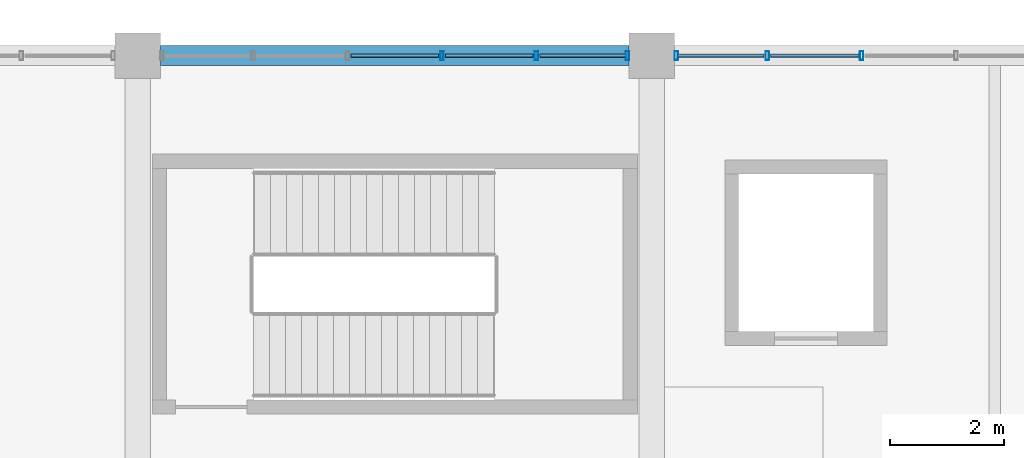
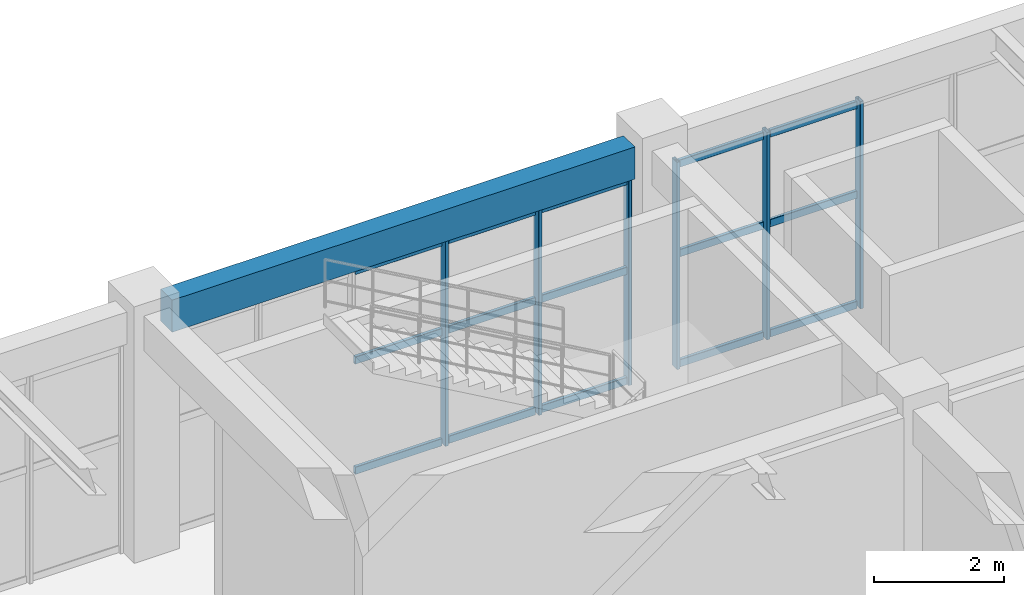
# One storey, part 88 of 178: 21 members, 1 beam, 2 elements without a shape of their own.
"""IFC4 building model written with IfcOpenShell, lengths in metres."""

from ifc_helpers import new_model, si_unit, derived_unit, direction, frame, origin, origin_2d, place, context, subcontext, project, spatial, rectangle, hollow_rectangle, extrude, material, material_profile, profile_set, type_object, element, aggregate, save


model = new_model("IFC4")

# Units and contexts
model_context = context("Model", 3, precision=1e-05, world=origin(), true_north=direction((0.0, 1.0)))
body_context = subcontext(model_context, "Body", "Model", "MODEL_VIEW")
ifc_project = project(units=[si_unit("LENGTHUNIT", "METRE"), si_unit("AREAUNIT", "SQUARE_METRE"), si_unit("VOLUMEUNIT", "CUBIC_METRE"), si_unit("PLANEANGLEUNIT", "RADIAN"), si_unit("MASSUNIT", "GRAM", prefix="KILO"), derived_unit("THERMALTRANSMITTANCEUNIT", [(si_unit("MASSUNIT", "GRAM", prefix="KILO"), 1), (si_unit("TIMEUNIT", "SECOND"), -3), (si_unit("THERMODYNAMICTEMPERATUREUNIT", "KELVIN"), -1)])], contexts=[model_context])

# Site, building, storey
site_placement = place(None, origin())
site = spatial("IfcSite", under=ifc_project, at=site_placement, CompositionType="ELEMENT")
building_placement = place(site_placement, origin())
building = spatial("IfcBuilding", under=site, at=building_placement, Name="Zhenchuan Archway Interchange", CompositionType="ELEMENT")
storey_placement = place(building_placement, frame((0.0, 0.0, 5.39990234375)))
storey = spatial("IfcBuildingStorey", under=building, at=storey_placement, Name="L01", CompositionType="ELEMENT", Elevation=5.39990234375)

# Curtain wall, members
ifc_material_1 = material(Name="Anodised Aluminium", Category="aluminium")
curtain_wall_type_1 = type_object("IfcCurtainWallType", Name="CW_UNIT_3", PredefinedType="NOTDEFINED", material=ifc_material_1)
curtain_wall_1_placement = place(storey_placement, origin())
curtain_wall_1 = element("IfcCurtainWall", 1, at=curtain_wall_1_placement, inside=storey, type_object=curtain_wall_type_1, Name="Unitised curtain wall CW:L01:046", PredefinedType="NOTDEFINED")
ifc_material_profile_1 = material_profile(ifc_material_1, hollow_rectangle(XDim=0.06005859375, YDim=0.159912109375, WallThickness=0.00390625, InnerFilletRadius=0.00390625, OuterFilletRadius=0.008056640625, at=origin_2d()), Name="ALU 160x60x4")
ifc_profile_set_1 = profile_set([ifc_material_profile_1], Name="Anodised Aluminium")
member_type_1 = type_object("IfcMemberType", Name="CW_MUL_150", PredefinedType="MULLION", material=ifc_profile_set_1)
member_1_placement = place(storey_placement, frame((14.326416015625, 112.0, 0.0), z_axis=(0.0, 0.0, 1.0), x_axis=(1.0, 0.0, 0.0)))
member_1 = element("IfcMember", 2, at=member_1_placement, type_object=member_type_1, Name="CW:L01:046 mullion 3", PredefinedType="MULLION", context=body_context, shape_type="SweptSolid", body=[
    extrude(hollow_rectangle(XDim=0.06005859375, YDim=0.159912109375, WallThickness=0.00390625, InnerFilletRadius=0.00390625, OuterFilletRadius=0.008056640625, at=origin_2d()), origin(), (0.0, 0.0, 1.0), 3.880126953125),
])
member_2_placement = place(storey_placement, frame((15.979248046875, 112.0, 0.0), z_axis=(0.0, 0.0, 1.0), x_axis=(1.0, 0.0, 0.0)))
member_2 = element("IfcMember", 3, at=member_2_placement, type_object=member_type_1, Name="CW:L01:046 mullion 4", PredefinedType="MULLION", context=body_context, shape_type="SweptSolid", body=[
    extrude(hollow_rectangle(XDim=0.06005859375, YDim=0.159912109375, WallThickness=0.00390625, InnerFilletRadius=0.00390625, OuterFilletRadius=0.008056640625, at=origin_2d()), origin(), (0.0, 0.0, 1.0), 3.880126953125),
])
member_3_placement = place(storey_placement, frame((17.572021484375, 112.0, 0.0), z_axis=(0.0, 0.0, 1.0), x_axis=(1.0, 0.0, 0.0)))
member_3 = element("IfcMember", 4, at=member_3_placement, type_object=member_type_1, Name="CW:L01:046 mullion 5", PredefinedType="MULLION", context=body_context, shape_type="SweptSolid", body=[
    extrude(hollow_rectangle(XDim=0.06005859375, YDim=0.159912109375, WallThickness=0.00390625, InnerFilletRadius=0.00390625, OuterFilletRadius=0.008056640625, at=origin_2d()), origin(), (0.0, 0.0, 1.0), 3.880126953125),
])

curtain_wall_type_2 = type_object("IfcCurtainWallType", Name="CW_UNIT_4", PredefinedType="NOTDEFINED", material=ifc_material_1)
curtain_wall_2_placement = place(storey_placement, origin())
curtain_wall_2 = element("IfcCurtainWall", 5, at=curtain_wall_2_placement, inside=storey, type_object=curtain_wall_type_2, Name="Unitised curtain wall CW:L01:047", PredefinedType="NOTDEFINED")
member_4_placement = place(storey_placement, frame((18.427978515625, 112.0, 0.0), z_axis=(0.0, 0.0, 1.0), x_axis=(1.0, 0.0, 0.0)))
member_4 = element("IfcMember", 6, at=member_4_placement, type_object=member_type_1, Name="CW:L01:047 mullion 0", PredefinedType="MULLION", context=body_context, shape_type="SweptSolid", body=[
    extrude(hollow_rectangle(XDim=0.06005859375, YDim=0.159912109375, WallThickness=0.00390625, InnerFilletRadius=0.00390625, OuterFilletRadius=0.008056640625, at=origin_2d()), origin(), (0.0, 0.0, 1.0), 3.880126953125),
])
member_5_placement = place(storey_placement, frame((20.020751953125, 112.0, 0.0), z_axis=(0.0, 0.0, 1.0), x_axis=(1.0, 0.0, 0.0)))
member_5 = element("IfcMember", 7, at=member_5_placement, type_object=member_type_1, Name="CW:L01:047 mullion 1", PredefinedType="MULLION", context=body_context, shape_type="SweptSolid", body=[
    extrude(hollow_rectangle(XDim=0.06005859375, YDim=0.159912109375, WallThickness=0.00390625, InnerFilletRadius=0.00390625, OuterFilletRadius=0.008056640625, at=origin_2d()), origin(), (0.0, 0.0, 1.0), 3.880126953125),
])
member_6_placement = place(storey_placement, frame((21.673583984375, 112.0, 0.0), z_axis=(0.0, 0.0, 1.0), x_axis=(1.0, 0.0, 0.0)))
member_6 = element("IfcMember", 8, at=member_6_placement, type_object=member_type_1, Name="CW:L01:047 mullion 2", PredefinedType="MULLION", context=body_context, shape_type="SweptSolid", body=[
    extrude(hollow_rectangle(XDim=0.06005859375, YDim=0.159912109375, WallThickness=0.00390625, InnerFilletRadius=0.00390625, OuterFilletRadius=0.008056640625, at=origin_2d()), origin(), (0.0, 0.0, 1.0), 3.880126953125),
])

# Member
ifc_material_profile_2 = material_profile(ifc_material_1, hollow_rectangle(XDim=0.06005859375, YDim=0.139892578125, WallThickness=0.00341796875, InnerFilletRadius=0.00341796875, OuterFilletRadius=0.007080078125, at=origin_2d()), Name="ALU 140x60x3.5")
ifc_profile_set_2 = profile_set([ifc_material_profile_2], Name="Anodised Aluminium")
member_type_2 = type_object("IfcMemberType", Name="CW_TRN_140", PredefinedType="USERDEFINED", material=ifc_profile_set_2)
member_7_placement = place(storey_placement, frame((12.733642578125, 112.0, 0.06005859375), z_axis=(1.0, 0.0, 0.0), x_axis=(0.0, 1.0, 0.0)))
member_7 = element("IfcMember", 9, at=member_7_placement, type_object=member_type_2, Name="CW:L01:046 transom 2-1", ObjectType="TRANSOM", PredefinedType="USERDEFINED", context=body_context, shape_type="SweptSolid", body=[
    extrude(hollow_rectangle(XDim=0.06005859375, YDim=0.139892578125, WallThickness=0.00341796875, InnerFilletRadius=0.00341796875, OuterFilletRadius=0.007080078125, at=origin_2d()), origin(), (0.0, 0.0, 1.0), 1.53271484375),
])

member_8_placement = place(storey_placement, frame((12.733642578125, 112.0, 2.123046875), z_axis=(1.0, 0.0, 0.0), x_axis=(0.0, 1.0, 0.0)))
member_8 = element("IfcMember", 10, at=member_8_placement, type_object=member_type_2, Name="CW:L01:046 transom 2-2", ObjectType="TRANSOM", PredefinedType="USERDEFINED", context=body_context, shape_type="SweptSolid", body=[
    extrude(hollow_rectangle(XDim=0.06005859375, YDim=0.139892578125, WallThickness=0.00341796875, InnerFilletRadius=0.00341796875, OuterFilletRadius=0.007080078125, at=origin_2d()), origin(), (0.0, 0.0, 1.0), 1.53271484375),
])

member_9_placement = place(storey_placement, frame((12.733642578125, 112.0, 3.800048828125), z_axis=(1.0, 0.0, 0.0), x_axis=(0.0, 1.0, 0.0)))
member_9 = element("IfcMember", 11, at=member_9_placement, type_object=member_type_2, Name="CW:L01:046 transom 2-3", ObjectType="TRANSOM", PredefinedType="USERDEFINED", context=body_context, shape_type="SweptSolid", body=[
    extrude(hollow_rectangle(XDim=0.06005859375, YDim=0.139892578125, WallThickness=0.00341796875, InnerFilletRadius=0.00341796875, OuterFilletRadius=0.007080078125, at=origin_2d()), origin(), (0.0, 0.0, 1.0), 1.53271484375),
])

member_10_placement = place(storey_placement, frame((14.386474609375, 112.0, 0.06005859375), z_axis=(1.0, 0.0, 0.0), x_axis=(0.0, 1.0, 0.0)))
member_10 = element("IfcMember", 12, at=member_10_placement, type_object=member_type_2, Name="CW:L01:046 transom 3-1", ObjectType="TRANSOM", PredefinedType="USERDEFINED", context=body_context, shape_type="SweptSolid", body=[
    extrude(hollow_rectangle(XDim=0.06005859375, YDim=0.139892578125, WallThickness=0.00341796875, InnerFilletRadius=0.00341796875, OuterFilletRadius=0.007080078125, at=origin_2d()), origin(), (0.0, 0.0, 1.0), 1.53271484375),
])

member_11_placement = place(storey_placement, frame((14.386474609375, 112.0, 2.123046875), z_axis=(1.0, 0.0, 0.0), x_axis=(0.0, 1.0, 0.0)))
member_11 = element("IfcMember", 13, at=member_11_placement, type_object=member_type_2, Name="CW:L01:046 transom 3-2", ObjectType="TRANSOM", PredefinedType="USERDEFINED", context=body_context, shape_type="SweptSolid", body=[
    extrude(hollow_rectangle(XDim=0.06005859375, YDim=0.139892578125, WallThickness=0.00341796875, InnerFilletRadius=0.00341796875, OuterFilletRadius=0.007080078125, at=origin_2d()), origin(), (0.0, 0.0, 1.0), 1.53271484375),
])

member_12_placement = place(storey_placement, frame((14.386474609375, 112.0, 3.800048828125), z_axis=(1.0, 0.0, 0.0), x_axis=(0.0, 1.0, 0.0)))
member_12 = element("IfcMember", 14, at=member_12_placement, type_object=member_type_2, Name="CW:L01:046 transom 3-3", ObjectType="TRANSOM", PredefinedType="USERDEFINED", context=body_context, shape_type="SweptSolid", body=[
    extrude(hollow_rectangle(XDim=0.06005859375, YDim=0.139892578125, WallThickness=0.00341796875, InnerFilletRadius=0.00341796875, OuterFilletRadius=0.007080078125, at=origin_2d()), origin(), (0.0, 0.0, 1.0), 1.53271484375),
])

member_13_placement = place(storey_placement, frame((16.039306640625, 112.0, 0.06005859375), z_axis=(1.0, 0.0, 0.0), x_axis=(0.0, 1.0, 0.0)))
member_13 = element("IfcMember", 15, at=member_13_placement, type_object=member_type_2, Name="CW:L01:046 transom 4-1", ObjectType="TRANSOM", PredefinedType="USERDEFINED", context=body_context, shape_type="SweptSolid", body=[
    extrude(hollow_rectangle(XDim=0.06005859375, YDim=0.139892578125, WallThickness=0.00341796875, InnerFilletRadius=0.00341796875, OuterFilletRadius=0.007080078125, at=origin_2d()), origin(), (0.0, 0.0, 1.0), 1.5126953125),
])

member_14_placement = place(storey_placement, frame((16.039306640625, 112.0, 2.123046875), z_axis=(1.0, 0.0, 0.0), x_axis=(0.0, 1.0, 0.0)))
member_14 = element("IfcMember", 16, at=member_14_placement, type_object=member_type_2, Name="CW:L01:046 transom 4-2", ObjectType="TRANSOM", PredefinedType="USERDEFINED", context=body_context, shape_type="SweptSolid", body=[
    extrude(hollow_rectangle(XDim=0.06005859375, YDim=0.139892578125, WallThickness=0.00341796875, InnerFilletRadius=0.00341796875, OuterFilletRadius=0.007080078125, at=origin_2d()), origin(), (0.0, 0.0, 1.0), 1.5126953125),
])

member_15_placement = place(storey_placement, frame((16.039306640625, 112.0, 3.800048828125), z_axis=(1.0, 0.0, 0.0), x_axis=(0.0, 1.0, 0.0)))
member_15 = element("IfcMember", 17, at=member_15_placement, type_object=member_type_2, Name="CW:L01:046 transom 4-3", ObjectType="TRANSOM", PredefinedType="USERDEFINED", context=body_context, shape_type="SweptSolid", body=[
    extrude(hollow_rectangle(XDim=0.06005859375, YDim=0.139892578125, WallThickness=0.00341796875, InnerFilletRadius=0.00341796875, OuterFilletRadius=0.007080078125, at=origin_2d()), origin(), (0.0, 0.0, 1.0), 1.5126953125),
])

aggregate(curtain_wall_1, [member_1, member_2, member_3, member_7, member_8, member_9, member_10, member_11, member_12, member_13, member_14, member_15])

member_16_placement = place(storey_placement, frame((18.447998046875, 112.0, 0.06005859375), z_axis=(1.0, 0.0, 0.0), x_axis=(0.0, 1.0, 0.0)))
member_16 = element("IfcMember", 18, at=member_16_placement, type_object=member_type_2, Name="CW:L01:047 transom 0-1", ObjectType="TRANSOM", PredefinedType="USERDEFINED", context=body_context, shape_type="SweptSolid", body=[
    extrude(hollow_rectangle(XDim=0.06005859375, YDim=0.139892578125, WallThickness=0.00341796875, InnerFilletRadius=0.00341796875, OuterFilletRadius=0.007080078125, at=origin_2d()), origin(), (0.0, 0.0, 1.0), 1.5126953125),
])

member_17_placement = place(storey_placement, frame((18.447998046875, 112.0, 2.123046875), z_axis=(1.0, 0.0, 0.0), x_axis=(0.0, 1.0, 0.0)))
member_17 = element("IfcMember", 19, at=member_17_placement, type_object=member_type_2, Name="CW:L01:047 transom 0-2", ObjectType="TRANSOM", PredefinedType="USERDEFINED", context=body_context, shape_type="SweptSolid", body=[
    extrude(hollow_rectangle(XDim=0.06005859375, YDim=0.139892578125, WallThickness=0.00341796875, InnerFilletRadius=0.00341796875, OuterFilletRadius=0.007080078125, at=origin_2d()), origin(), (0.0, 0.0, 1.0), 1.5126953125),
])

member_18_placement = place(storey_placement, frame((18.447998046875, 112.0, 3.800048828125), z_axis=(1.0, 0.0, 0.0), x_axis=(0.0, 1.0, 0.0)))
member_18 = element("IfcMember", 20, at=member_18_placement, type_object=member_type_2, Name="CW:L01:047 transom 0-3", ObjectType="TRANSOM", PredefinedType="USERDEFINED", context=body_context, shape_type="SweptSolid", body=[
    extrude(hollow_rectangle(XDim=0.06005859375, YDim=0.139892578125, WallThickness=0.00341796875, InnerFilletRadius=0.00341796875, OuterFilletRadius=0.007080078125, at=origin_2d()), origin(), (0.0, 0.0, 1.0), 1.5126953125),
])

member_19_placement = place(storey_placement, frame((20.080810546875, 112.0, 0.06005859375), z_axis=(1.0, 0.0, 0.0), x_axis=(0.0, 1.0, 0.0)))
member_19 = element("IfcMember", 21, at=member_19_placement, type_object=member_type_2, Name="CW:L01:047 transom 1-1", ObjectType="TRANSOM", PredefinedType="USERDEFINED", context=body_context, shape_type="SweptSolid", body=[
    extrude(hollow_rectangle(XDim=0.06005859375, YDim=0.139892578125, WallThickness=0.00341796875, InnerFilletRadius=0.00341796875, OuterFilletRadius=0.007080078125, at=origin_2d()), origin(), (0.0, 0.0, 1.0), 1.53271484375),
])

member_20_placement = place(storey_placement, frame((20.080810546875, 112.0, 2.123046875), z_axis=(1.0, 0.0, 0.0), x_axis=(0.0, 1.0, 0.0)))
member_20 = element("IfcMember", 22, at=member_20_placement, type_object=member_type_2, Name="CW:L01:047 transom 1-2", ObjectType="TRANSOM", PredefinedType="USERDEFINED", context=body_context, shape_type="SweptSolid", body=[
    extrude(hollow_rectangle(XDim=0.06005859375, YDim=0.139892578125, WallThickness=0.00341796875, InnerFilletRadius=0.00341796875, OuterFilletRadius=0.007080078125, at=origin_2d()), origin(), (0.0, 0.0, 1.0), 1.53271484375),
])

member_21_placement = place(storey_placement, frame((20.080810546875, 112.0, 3.800048828125), z_axis=(1.0, 0.0, 0.0), x_axis=(0.0, 1.0, 0.0)))
member_21 = element("IfcMember", 23, at=member_21_placement, type_object=member_type_2, Name="CW:L01:047 transom 1-3", ObjectType="TRANSOM", PredefinedType="USERDEFINED", context=body_context, shape_type="SweptSolid", body=[
    extrude(hollow_rectangle(XDim=0.06005859375, YDim=0.139892578125, WallThickness=0.00341796875, InnerFilletRadius=0.00341796875, OuterFilletRadius=0.007080078125, at=origin_2d()), origin(), (0.0, 0.0, 1.0), 1.53271484375),
])

aggregate(curtain_wall_2, [member_4, member_5, member_6, member_16, member_17, member_18, member_19, member_20, member_21])

# Beam
ifc_material_2 = material(Name="Concrete C40", Category="concrete")
ifc_material_profile_3 = material_profile(ifc_material_2, rectangle(XDim=0.35009765625, YDim=0.60009765625, at=origin_2d()), Name="RC 350x600")
ifc_profile_set_3 = profile_set([ifc_material_profile_3], Name="Concrete C40")
beam_type = type_object("IfcBeamType", Name="SP_RC_350x600", PredefinedType="SPANDREL", material=ifc_profile_set_3)
beam_placement = place(storey_placement, frame((9.39990234375, 112.0, 4.210205078125), z_axis=(1.0, 0.0, 0.0), x_axis=(0.0, 1.0, 0.0)))
element("IfcBeam", 24, at=beam_placement, inside=storey, type_object=beam_type, Name="Beam P:2-3 (L01)", PredefinedType="SPANDREL", context=body_context, shape_type="SweptSolid", body=[
    extrude(rectangle(XDim=0.35009765625, YDim=0.60009765625, at=origin_2d()), origin(), (0.0, 0.0, 1.0), 8.2001953125),
])

save(model, "model.ifc")
